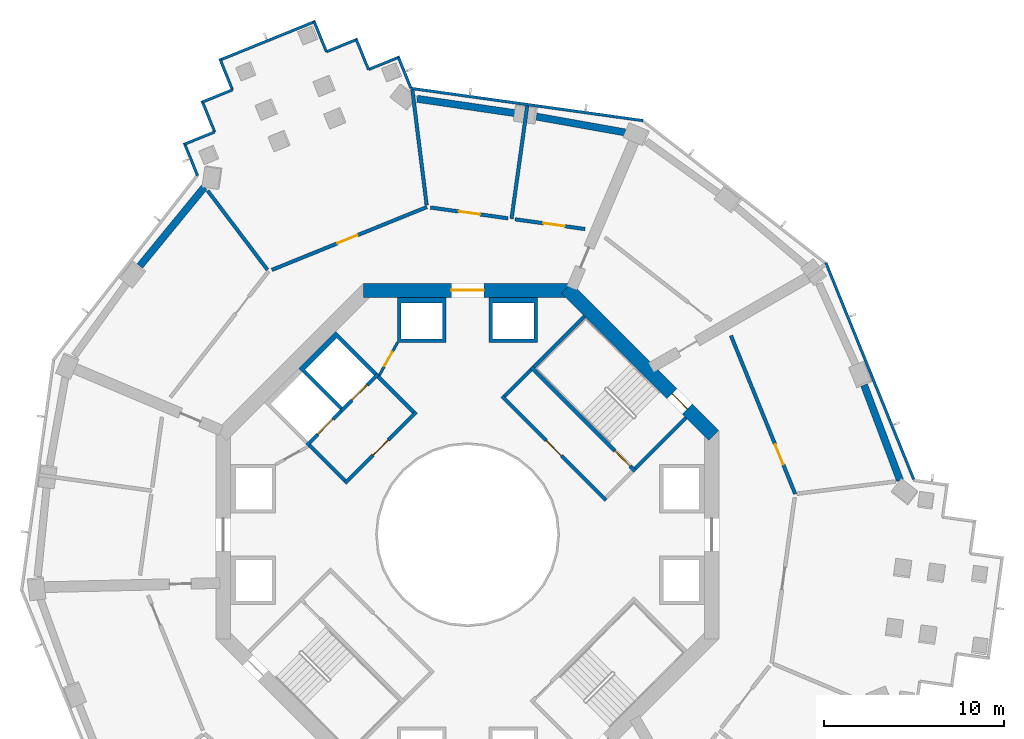
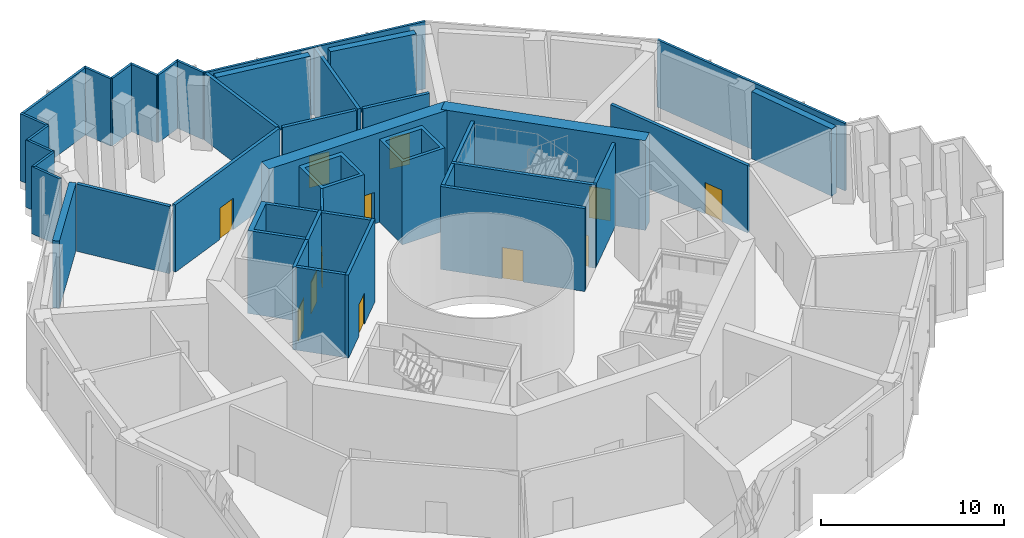
# One storey, part 4 of 17: 40 walls, 12 doors, 12 openings.
"""IFC4 building model written with IfcOpenShell, lengths in metres."""

from ifc_helpers import new_model, si_unit, direction, frame, frame_2d, origin, place, context, subcontext, project, spatial, polyline, rectangle, outline, extrude, material, layer, layer_set, type_object, element, fill, save


model = new_model("IFC4")

# Units and contexts
model_context = context("Model", 3, precision=1e-05, world=origin(), true_north=direction((0.0, 1.0)))
body_context = subcontext(model_context, "Body", "Model", "MODEL_VIEW")
ifc_project = project(units=[si_unit("LENGTHUNIT", "METRE"), si_unit("AREAUNIT", "SQUARE_METRE"), si_unit("VOLUMEUNIT", "CUBIC_METRE"), si_unit("PLANEANGLEUNIT", "RADIAN"), si_unit("MASSUNIT", "GRAM", prefix="KILO")], contexts=[model_context])

# Site, building, storey
site_placement = place(None, origin())
site = spatial("IfcSite", under=ifc_project, at=site_placement, CompositionType="ELEMENT")
building_placement = place(site_placement, origin())
building = spatial("IfcBuilding", under=site, at=building_placement, Name="Verdalira Terraces Hotel", CompositionType="ELEMENT")
storey_placement = place(building_placement, frame((0.0, 0.0, 122.0)))
storey = spatial("IfcBuildingStorey", under=building, at=storey_placement, Name="L29", CompositionType="ELEMENT", Elevation=122.0)

# Walls
ifc_material_1 = material(Name="Concrete C70", Category="concrete")
ifc_layer_1 = layer(ifc_material_1, 0.39990234375)
ifc_layer_set_1 = layer_set([ifc_layer_1], Name="Belt wall 400 C70")
wall_type_1 = type_object("IfcWallType", Name="Belt wall 400 C70", PredefinedType="SHEAR", material=ifc_layer_set_1)
for number, where, z_axis, x_axis, name in (
    (1, (-14.663818, 19.344238, 0.0), (0.0, 0.0, 1.0), (-0.63358979, -0.773669166, 0.0), "Belt wall BW-29-1"),
    (2, (24.084473, 3.0271, 0.0), (0.0, 0.0, 1.0), (-0.353210296, 0.935543952, 0.0), "Belt wall BW-29-13"),
):
    element("IfcWall", number, at=place(storey_placement, frame(where, z_axis=z_axis, x_axis=x_axis)), inside=storey, type_object=wall_type_1, Name=name, PredefinedType="SHEAR", context=body_context, shape_type="SweptSolid", body=[
        extrude(rectangle(XDim=5.664307, YDim=0.399902, at=frame_2d((2.832031, 0.0))), origin(), (0.0, 0.0, 1.0), 4.5),
    ])
wall_1_placement = place(storey_placement, frame((8.771484, 22.398682, 0.0), z_axis=(0.0, 0.0, 1.0), x_axis=(-0.984454349, 0.175640641, 0.0)))
element("IfcWall", 3, at=wall_1_placement, inside=storey, type_object=wall_type_1, Name="Belt wall BW-29-17", PredefinedType="SHEAR", context=body_context, shape_type="SweptSolid", body=[
    extrude(rectangle(XDim=5.013672, YDim=0.399902, at=frame_2d((2.506836, 0.0))), origin(), (0.0, 0.0, 1.0), 4.5),
])
wall_2_placement = place(storey_placement, frame((2.680908, 23.467041, 0.0), z_axis=(0.0, 0.0, 1.0), x_axis=(-0.989431509, 0.145000996, 0.0)))
element("IfcWall", 4, at=wall_2_placement, inside=storey, type_object=wall_type_1, Name="Belt wall BW-29-18", PredefinedType="SHEAR", context=body_context, shape_type="SweptSolid", body=[
    extrude(rectangle(XDim=5.546143, YDim=0.399902, at=frame_2d((2.772949, 0.0))), origin(), (0.0, 0.0, 1.0), 4.5),
])
ifc_material_2 = material(Name="Concrete C50", Category="concrete")
ifc_layer_2 = layer(ifc_material_2, 0.199951171875)
ifc_layer_set_2 = layer_set([ifc_layer_2], Name="Core RC wall 200 C50")
wall_type_2 = type_object("IfcWallType", Name="Core RC wall 200 C50", PredefinedType="SOLIDWALL", material=ifc_layer_set_2)
wall_3_placement = place(storey_placement, origin())
element("IfcWall", 5, at=wall_3_placement, inside=storey, type_object=wall_type_2, Name="L29 shaft wall N1", PredefinedType="SOLIDWALL", context=body_context, shape_type="SweptSolid", body=[
    extrude(outline(polyline([(1.199951, 13.199951), (3.899902, 13.199951), (3.899902, 10.699951), (1.199951, 10.699951), (1.199951, 13.199951)]), holes=[polyline([(3.699951, 10.899902), (3.699951, 12.899902), (1.399902, 12.899902), (1.399902, 10.899902), (3.699951, 10.899902)])]), origin(), (0.0, 0.0, 1.0), 5.550049),
])
wall_4_placement = place(storey_placement, origin())
element("IfcWall", 6, at=wall_4_placement, inside=storey, type_object=wall_type_2, Name="L29 shaft wall N2", PredefinedType="SOLIDWALL", context=body_context, shape_type="SweptSolid", body=[
    extrude(outline(polyline([(-3.899902, 10.699951), (-3.899902, 13.199951), (-1.199951, 13.199951), (-1.199951, 10.699951), (-3.899902, 10.699951)]), holes=[polyline([(-1.399902, 12.899902), (-3.699951, 12.899902), (-3.699951, 10.899902), (-1.399902, 10.899902), (-1.399902, 12.899902)])]), origin(), (0.0, 0.0, 1.0), 5.550049),
])
wall_5_placement = place(storey_placement, origin())
element("IfcWall", 7, at=wall_5_placement, inside=storey, type_object=wall_type_2, Name="L29 shaft wall F1", PredefinedType="SOLIDWALL", context=body_context, shape_type="SweptSolid", body=[
    extrude(outline(polyline([(-9.404541, 9.263184), (-7.354004, 11.313721), (-5.055908, 9.015625), (-5.197266, 8.874268), (-7.283203, 10.960205), (-9.051025, 9.192383), (-6.965088, 7.106445), (-7.106445, 6.965088), (-9.404541, 9.263184)])), origin(), (0.0, 0.0, 1.0), 5.550049),
])

# Wall, opening, door
wall_6_placement = place(storey_placement, frame((-4.985107, 8.944824, 0.0), z_axis=(0.0, 0.0, 1.0), x_axis=(-0.707106781, -0.707106781, 0.0)))
wall_6 = element("IfcWall", 8, at=wall_6_placement, inside=storey, type_object=wall_type_2, Name="L29 shaft front wall F1", PredefinedType="SOLIDWALL", context=body_context, shape_type="SweptSolid", body=[
    extrude(rectangle(XDim=2.899902, YDim=0.199951, at=frame_2d((1.449951, 0.0))), origin(), (0.0, 0.0, 1.0), 5.550049),
])
opening_1_placement = place(wall_6_placement, frame((0.850098, 0.0, 0.0)))
opening_1 = element("IfcOpeningElement", 9, at=opening_1_placement, cuts=wall_6, Name="Opening LD-L29-801", PredefinedType="OPENING", context=body_context, shape_type="SweptSolid", body=[
    extrude(rectangle(XDim=1.199951, YDim=2.100098, at=frame_2d((0.600098, 1.050049))), frame((0.0, 0.109863, 0.0), z_axis=(0.0, -1.0, 0.0), x_axis=(1.0, 0.0, 0.0)), (0.0, 0.0, 1.0), 0.219971),
])
ifc_material_3 = material(Name="Stainless steel", Category="steel")
door_type_1 = type_object("IfcDoorType", Name="Landing door 1200 x 2100", OperationType="NOTDEFINED", PredefinedType="DOOR", material=ifc_material_3)
door_1_placement = place(opening_1_placement, origin())
door_1 = element("IfcDoor", 10, at=door_1_placement, inside=storey, type_object=door_type_1, Name="Lift landing door LF11 L29", OperationType="DOUBLE_DOOR_SLIDING", OverallHeight=2.10009765625, OverallWidth=1.199951171875, PredefinedType="DOOR", context=body_context, shape_type="SweptSolid", body=[
    extrude(rectangle(XDim=1.199951, YDim=2.100098, at=frame_2d((0.600098, 1.050049))), frame((0.0, 0.024902, 0.0), z_axis=(0.0, -1.0, 0.0), x_axis=(1.0, 0.0, 0.0)), (0.0, 0.0, 1.0), 0.050049),
])
fill(opening_1, door_1)

wall_7_placement = place(storey_placement, frame((-7.035645, 6.894287, 0.0), z_axis=(0.0, 0.0, 1.0), x_axis=(-0.707106781, -0.707106781, 0.0)))
wall_7 = element("IfcWall", 11, at=wall_7_placement, inside=storey, type_object=wall_type_2, Name="L29 shaft front wall F2", PredefinedType="SOLIDWALL", context=body_context, shape_type="SweptSolid", body=[
    extrude(rectangle(XDim=2.699951, YDim=0.199951, at=frame_2d((1.350098, 0.0))), origin(), (0.0, 0.0, 1.0), 5.550049),
])
opening_2_placement = place(wall_7_placement, frame((0.649902, 0.0, 0.0)))
opening_2 = element("IfcOpeningElement", 12, at=opening_2_placement, cuts=wall_7, Name="Opening LD-L29-802", PredefinedType="OPENING", context=body_context, shape_type="SweptSolid", body=[
    extrude(rectangle(XDim=1.199951, YDim=2.100098, at=frame_2d((0.600098, 1.050049))), frame((0.0, 0.109863, 0.0), z_axis=(0.0, -1.0, 0.0), x_axis=(1.0, 0.0, 0.0)), (0.0, 0.0, 1.0), 0.219971),
])
door_2_placement = place(opening_2_placement, origin())
door_2 = element("IfcDoor", 13, at=door_2_placement, inside=storey, type_object=door_type_1, Name="Lift landing door LF12 L29", OperationType="DOUBLE_DOOR_SLIDING", OverallHeight=2.10009765625, OverallWidth=1.199951171875, PredefinedType="DOOR", context=body_context, shape_type="SweptSolid", body=[
    extrude(rectangle(XDim=1.199951, YDim=2.100098, at=frame_2d((0.600098, 1.050049))), frame((0.0, 0.024902, 0.0), z_axis=(0.0, -1.0, 0.0), x_axis=(1.0, 0.0, 0.0)), (0.0, 0.0, 1.0), 0.050049),
])
fill(opening_2, door_2)

wall_8_placement = place(storey_placement, frame((3.5354, 9.33374, 0.0), z_axis=(0.0, 0.0, 1.0), x_axis=(0.707106781, -0.707106781, 0.0)))
wall_8 = element("IfcWall", 14, at=wall_8_placement, inside=storey, type_object=wall_type_2, Name="L29 stair ST1 front wall", PredefinedType="SOLIDWALL", context=body_context, shape_type="SweptSolid", body=[
    extrude(rectangle(XDim=8.200195, YDim=0.199951, at=frame_2d((4.100098, 0.0))), origin(), (0.0, 0.0, 1.0), 5.550049),
])
opening_3_placement = place(wall_8_placement, frame((6.600098, 0.0, 0.0)))
opening_3 = element("IfcOpeningElement", 15, at=opening_3_placement, cuts=wall_8, Name="Opening L29-803", PredefinedType="OPENING", context=body_context, shape_type="SweptSolid", body=[
    extrude(rectangle(XDim=1.199951, YDim=2.100098, at=frame_2d((0.600098, 1.050049))), frame((0.0, 0.109863, 0.0), z_axis=(0.0, -1.0, 0.0), x_axis=(1.0, 0.0, 0.0)), (0.0, 0.0, 1.0), 0.219971),
])
ifc_material_4 = material(Name="Steel fire door", Category="steel")
door_type_2 = type_object("IfcDoorType", Name="Stair door 1200 x 2100", OperationType="NOTDEFINED", PredefinedType="DOOR", material=ifc_material_4)
door_3_placement = place(opening_3_placement, origin())
door_3 = element("IfcDoor", 16, at=door_3_placement, inside=storey, type_object=door_type_2, Name="Stair door ST1 L29", OperationType="SINGLE_SWING_RIGHT", OverallHeight=2.10009765625, OverallWidth=1.199951171875, PredefinedType="DOOR", context=body_context, shape_type="SweptSolid", body=[
    extrude(rectangle(XDim=1.199951, YDim=2.100098, at=frame_2d((0.600098, 1.050049))), frame((0.0, 0.024902, 0.0), z_axis=(0.0, -1.0, 0.0), x_axis=(1.0, 0.0, 0.0)), (0.0, 0.0, 1.0), 0.050049),
])
fill(opening_3, door_3)

# Walls
for number, where, z_axis, x_axis, name in (
    (17, (9.33374, 3.677002, 0.0), (0.0, 0.0, 1.0), (0.707106781, 0.707106781, 0.0), "L29 stair ST1 end wall 1"),
    (18, (3.677002, 9.33374, 0.0), (0.0, 0.0, 1.0), (0.707106781, 0.707106781, 0.0), "L29 stair ST1 end wall 2"),
):
    element("IfcWall", number, at=place(storey_placement, frame(where, z_axis=z_axis, x_axis=x_axis)), inside=storey, type_object=wall_type_2, Name=name, PredefinedType="SOLIDWALL", context=body_context, shape_type="SweptSolid", body=[
        extrude(rectangle(XDim=4.0, YDim=0.199951, at=frame_2d((2.0, 0.0))), origin(), (0.0, 0.0, 1.0), 5.550049),
    ])

# Wall, opening, door
wall_9_placement = place(storey_placement, frame((-2.86377, 6.823486, 0.0), z_axis=(0.0, 0.0, 1.0), x_axis=(-0.707106781, -0.707106781, 0.0)))
wall_9 = element("IfcWall", 19, at=wall_9_placement, inside=storey, type_object=wall_type_2, Name="L29 fire lobby wall", PredefinedType="SOLIDWALL", context=body_context, shape_type="SweptSolid", body=[
    extrude(rectangle(XDim=5.599854, YDim=0.199951, at=frame_2d((2.799805, 0.0))), origin(), (0.0, 0.0, 1.0), 5.550049),
])
opening_4_placement = place(wall_9_placement, frame((2.199951, 0.0, 0.0)))
opening_4 = element("IfcOpeningElement", 20, at=opening_4_placement, cuts=wall_9, Name="Opening L29-813", PredefinedType="OPENING", context=body_context, shape_type="SweptSolid", body=[
    extrude(rectangle(XDim=1.199951, YDim=2.100098, at=frame_2d((0.600098, 1.050049))), frame((0.0, 0.109863, 0.0), z_axis=(0.0, -1.0, 0.0), x_axis=(1.0, 0.0, 0.0)), (0.0, 0.0, 1.0), 0.219971),
])
ifc_material_5 = material(Name="Steel fire door", Category="steel")
door_type_3 = type_object("IfcDoorType", Name="Lobby door 1200 x 2100", OperationType="NOTDEFINED", PredefinedType="DOOR", material=ifc_material_5)
door_4_placement = place(opening_4_placement, origin())
door_4 = element("IfcDoor", 21, at=door_4_placement, inside=storey, type_object=door_type_3, Name="Fire lobby door L29", OperationType="SINGLE_SWING_LEFT", OverallHeight=2.10009765625, OverallWidth=1.199951171875, PredefinedType="DOOR", context=body_context, shape_type="SweptSolid", body=[
    extrude(rectangle(XDim=1.199951, YDim=2.100098, at=frame_2d((0.600098, 1.050049))), frame((0.0, 0.024902, 0.0), z_axis=(0.0, -1.0, 0.0), x_axis=(1.0, 0.0, 0.0)), (0.0, 0.0, 1.0), 0.050049),
])
fill(opening_4, door_4)

# Walls
for number, where, z_axis, x_axis, name in (
    (22, (-3.005127, 6.823486, 0.0), (0.0, 0.0, 1.0), (-0.707106781, 0.707106781, 0.0), "L29 fire lobby wall"),
    (23, (-6.823486, 3.005127, 0.0), (0.0, 0.0, 1.0), (-0.707106781, 0.707106781, 0.0), "L29 fire lobby wall"),
):
    element("IfcWall", number, at=place(storey_placement, frame(where, z_axis=z_axis, x_axis=x_axis)), inside=storey, type_object=wall_type_2, Name=name, PredefinedType="SOLIDWALL", context=body_context, shape_type="SweptSolid", body=[
        extrude(rectangle(XDim=2.800049, YDim=0.199951, at=frame_2d((1.399902, 0.0))), origin(), (0.0, 0.0, 1.0), 5.550049),
    ])

# Wall, opening, door
wall_10_placement = place(storey_placement, frame((7.70752, 1.90918, 0.0), z_axis=(0.0, 0.0, 1.0), x_axis=(-0.707106781, 0.707106781, 0.0)))
wall_10 = element("IfcWall", 24, at=wall_10_placement, inside=storey, type_object=wall_type_2, Name="Stair lobby wall ST1 L29", PredefinedType="SOLIDWALL", context=body_context, shape_type="SweptSolid", body=[
    extrude(rectangle(XDim=8.200195, YDim=0.199951, at=frame_2d((4.100098, 0.0))), origin(), (0.0, 0.0, 1.0), 5.550049),
])
opening_5_placement = place(wall_10_placement, frame((3.5, 0.0, 0.0)))
opening_5 = element("IfcOpeningElement", 25, at=opening_5_placement, cuts=wall_10, Name="Opening L29-816", PredefinedType="OPENING", context=body_context, shape_type="SweptSolid", body=[
    extrude(rectangle(XDim=1.199951, YDim=2.100098, at=frame_2d((0.600098, 1.050049))), frame((0.0, 0.109863, 0.0), z_axis=(0.0, -1.0, 0.0), x_axis=(1.0, 0.0, 0.0)), (0.0, 0.0, 1.0), 0.219971),
])
door_5_placement = place(opening_5_placement, origin())
door_5 = element("IfcDoor", 26, at=door_5_placement, inside=storey, type_object=door_type_3, Name="Door L29 lobbyST1", OperationType="SINGLE_SWING_LEFT", OverallHeight=2.10009765625, OverallWidth=1.199951171875, PredefinedType="DOOR", context=body_context, shape_type="SweptSolid", body=[
    extrude(rectangle(XDim=1.199951, YDim=2.100098, at=frame_2d((0.600098, 1.050049))), frame((0.0, 0.024902, 0.0), z_axis=(0.0, -1.0, 0.0), x_axis=(1.0, 0.0, 0.0)), (0.0, 0.0, 1.0), 0.050049),
])
fill(opening_5, door_5)

# Wall
wall_11_placement = place(storey_placement, frame((2.050537, 7.70752, 0.0), z_axis=(0.0, 0.0, 1.0), x_axis=(0.707106781, 0.707106781, 0.0)))
element("IfcWall", 27, at=wall_11_placement, inside=storey, type_object=wall_type_2, Name="Stair lobby wall ST1 L29", PredefinedType="SOLIDWALL", context=body_context, shape_type="SweptSolid", body=[
    extrude(rectangle(XDim=2.099854, YDim=0.199951, at=frame_2d((1.049805, 0.0))), origin(), (0.0, 0.0, 1.0), 5.550049),
])

# Wall, opening, door
ifc_material_6 = material(Name="Gypsum board partition")
ifc_layer_3 = layer(ifc_material_6, 0.14990234375)
ifc_layer_set_3 = layer_set([ifc_layer_3], Name="Core partition 150 mm")
wall_type_3 = type_object("IfcWallType", Name="Core partition 150 mm", PredefinedType="PARTITIONING", material=ifc_layer_set_3)
wall_12_placement = place(storey_placement, frame((-3.899902, 10.699951, 0.0), z_axis=(0.0, 0.0, 1.0), x_axis=(-0.485692555, -0.874129705, 0.0)))
wall_12 = element("IfcWall", 28, at=wall_12_placement, inside=storey, type_object=wall_type_3, Name="Room partition L29", PredefinedType="PARTITIONING", context=body_context, shape_type="SweptSolid", body=[
    extrude(rectangle(XDim=2.088623, YDim=0.149902, at=frame_2d((1.044434, 0.0))), origin(), (0.0, 0.0, 1.0), 5.550049),
])
opening_6_placement = place(wall_12_placement, frame((0.594238, 0.0, 0.0)))
opening_6 = element("IfcOpeningElement", 29, at=opening_6_placement, cuts=wall_12, Name="Opening L29-814", PredefinedType="OPENING", context=body_context, shape_type="SweptSolid", body=[
    extrude(rectangle(XDim=0.899902, YDim=2.100098, at=frame_2d((0.449951, 1.050049))), frame((0.0, 0.084961, 0.0), z_axis=(0.0, -1.0, 0.0), x_axis=(1.0, 0.0, 0.0)), (0.0, 0.0, 1.0), 0.169922),
])
ifc_material_7 = material(Name="Steel fire door", Category="steel")
door_type_4 = type_object("IfcDoorType", Name="Core room door 900 x 2100", OperationType="NOTDEFINED", PredefinedType="DOOR", material=ifc_material_7)
door_6_placement = place(opening_6_placement, origin())
door_6 = element("IfcDoor", 30, at=door_6_placement, inside=storey, type_object=door_type_4, Name="Door L29 room2", OperationType="SINGLE_SWING_LEFT", OverallHeight=2.10009765625, OverallWidth=0.89990234375, PredefinedType="DOOR", context=body_context, shape_type="SweptSolid", body=[
    extrude(rectangle(XDim=0.899902, YDim=2.100098, at=frame_2d((0.449951, 1.050049))), frame((0.0, 0.024902, 0.0), z_axis=(0.0, -1.0, 0.0), x_axis=(1.0, 0.0, 0.0)), (0.0, 0.0, 1.0), 0.050049),
])
fill(opening_6, door_6)

ifc_material_8 = material(Name="Concrete C70", Category="concrete")
ifc_layer_4 = layer(ifc_material_8, 0.800048828125)
ifc_layer_set_4 = layer_set([ifc_layer_4], Name="Core wall 800 C70")
wall_type_4 = type_object("IfcWallType", Name="Core wall 800 C70", PredefinedType="SHEAR", material=ifc_layer_set_4)
wall_13_placement = place(storey_placement, frame((13.717285, 5.516113, 0.0), z_axis=(0.0, 0.0, 1.0), x_axis=(-0.707106781, 0.707106781, 0.0)))
wall_13 = element("IfcWall", 31, at=wall_13_placement, inside=storey, type_object=wall_type_4, Name="Core wall CW-L29-2", PredefinedType="SHEAR", context=body_context, shape_type="SweptSolid", body=[
    extrude(rectangle(XDim=11.598145, YDim=0.800049, at=frame_2d((5.799072, 0.0))), origin(), (0.0, 0.0, 1.0), 6.0),
])
opening_7_placement = place(wall_13_placement, frame((2.099121, 0.0, 0.0)))
opening_7 = element("IfcOpeningElement", 32, at=opening_7_placement, cuts=wall_13, Name="Opening L29-810", PredefinedType="OPENING", context=body_context, shape_type="SweptSolid", body=[
    extrude(rectangle(XDim=1.199951, YDim=2.100098, at=frame_2d((0.600098, 1.050049))), frame((0.0, 0.409912, 0.0), z_axis=(0.0, -1.0, 0.0), x_axis=(1.0, 0.0, 0.0)), (0.0, 0.0, 1.0), 0.820068),
])
door_7_placement = place(opening_7_placement, origin())
door_7 = element("IfcDoor", 33, at=door_7_placement, inside=storey, type_object=door_type_2, Name="Stair exit door ST1 L29", OperationType="SINGLE_SWING_LEFT", OverallHeight=2.10009765625, OverallWidth=1.199951171875, PredefinedType="DOOR", context=body_context, shape_type="SweptSolid", body=[
    extrude(rectangle(XDim=1.199951, YDim=2.100098, at=frame_2d((0.600098, 1.050049))), frame((0.0, 0.024902, 0.0), z_axis=(0.0, -1.0, 0.0), x_axis=(1.0, 0.0, 0.0)), (0.0, 0.0, 1.0), 0.050049),
])
fill(opening_7, door_7)

wall_14_placement = place(storey_placement, frame((5.799072, 13.600098, 0.0), z_axis=(0.0, 0.0, 1.0), x_axis=(-1.0, 0.0, 0.0)))
wall_14 = element("IfcWall", 34, at=wall_14_placement, inside=storey, type_object=wall_type_4, Name="Core wall CW-L29-3", PredefinedType="SHEAR", context=body_context, shape_type="SweptSolid", body=[
    extrude(rectangle(XDim=11.598145, YDim=0.800049, at=frame_2d((5.799072, 0.0))), origin(), (0.0, 0.0, 1.0), 6.0),
])
opening_8_placement = place(wall_14_placement, frame((4.898926, 0.0, 0.0)))
opening_8 = element("IfcOpeningElement", 35, at=opening_8_placement, cuts=wall_14, Name="Opening L29-807", PredefinedType="OPENING", context=body_context, shape_type="SweptSolid", body=[
    extrude(rectangle(XDim=1.800049, YDim=2.100098, at=frame_2d((0.899902, 1.050049))), frame((0.0, 0.409912, 0.0), z_axis=(0.0, -1.0, 0.0), x_axis=(1.0, 0.0, 0.0)), (0.0, 0.0, 1.0), 0.820068),
])
ifc_material_9 = material(Name="Steel fire door", Category="steel")
door_type_5 = type_object("IfcDoorType", Name="Core entry door pair 1800 x 2100", OperationType="NOTDEFINED", PredefinedType="DOOR", material=ifc_material_9)
door_8_placement = place(opening_8_placement, origin())
door_8 = element("IfcDoor", 36, at=door_8_placement, inside=storey, type_object=door_type_5, Name="Core entry door L29 2", OperationType="DOUBLE_DOOR_SINGLE_SWING", OverallHeight=2.10009765625, OverallWidth=1.800048828125, PredefinedType="DOOR", context=body_context, shape_type="SweptSolid", body=[
    extrude(rectangle(XDim=1.800049, YDim=2.100098, at=frame_2d((0.899902, 1.050049))), frame((0.0, 0.024902, 0.0), z_axis=(0.0, -1.0, 0.0), x_axis=(1.0, 0.0, 0.0)), (0.0, 0.0, 1.0), 0.050049),
])
fill(opening_8, door_8)

# Wall
ifc_material_10 = material(Name="Fire-rated concrete block wall", Category="concrete")
ifc_layer_5 = layer(ifc_material_10, 0.199951171875)
ifc_layer_set_5 = layer_set([ifc_layer_5], Name="Plant room wall 200 mm")
wall_type_5 = type_object("IfcWallType", Name="Plant room wall 200 mm", PredefinedType="SOLIDWALL", material=ifc_layer_set_5)
wall_15_placement = place(storey_placement, frame((-11.147217, 14.75, 0.0), z_axis=(0.0, 0.0, 1.0), x_axis=(-0.602936843, 0.797788922, 0.0)))
element("IfcWall", 37, at=wall_15_placement, inside=storey, type_object=wall_type_5, Name="Plant room wall", PredefinedType="SOLIDWALL", context=body_context, shape_type="SweptSolid", body=[
    extrude(rectangle(XDim=5.525635, YDim=0.199951, at=frame_2d((2.762695, 0.0))), origin(), (0.0, 0.0, 1.0), 4.5),
])

# Wall, opening, door
wall_16_placement = place(storey_placement, frame((-10.899414, 14.742432, 0.0), z_axis=(0.0, 0.0, 1.0), x_axis=(0.926656636, 0.37590887, 0.0)))
wall_16 = element("IfcWall", 38, at=wall_16_placement, inside=storey, type_object=wall_type_5, Name="Plant room wall", PredefinedType="SOLIDWALL", context=body_context, shape_type="SweptSolid", body=[
    extrude(rectangle(XDim=9.31665, YDim=0.199951, at=frame_2d((4.658203, 0.0))), origin(), (0.0, 0.0, 1.0), 4.5),
])
opening_9_placement = place(wall_16_placement, frame((3.949951, 0.0, 0.0)))
opening_9 = element("IfcOpeningElement", 39, at=opening_9_placement, cuts=wall_16, Name="Opening L29-107", PredefinedType="OPENING", context=body_context, shape_type="SweptSolid", body=[
    extrude(rectangle(XDim=1.199951, YDim=2.100098, at=frame_2d((0.600098, 1.050049))), frame((0.0, 0.109863, 0.0), z_axis=(0.0, -1.0, 0.0), x_axis=(1.0, 0.0, 0.0)), (0.0, 0.0, 1.0), 0.219971),
])
ifc_material_11 = material(Name="Steel fire door", Category="steel")
door_type_6 = type_object("IfcDoorType", Name="Plant room door 1200 x 2100", OperationType="NOTDEFINED", PredefinedType="DOOR", material=ifc_material_11)
door_9_placement = place(opening_9_placement, origin())
door_9 = element("IfcDoor", 40, at=door_9_placement, inside=storey, type_object=door_type_6, Name="Plant room door 2901", OperationType="SINGLE_SWING_LEFT", OverallHeight=2.10009765625, OverallWidth=1.199951171875, PredefinedType="DOOR", context=body_context, shape_type="SweptSolid", body=[
    extrude(rectangle(XDim=1.199951, YDim=2.100098, at=frame_2d((0.600098, 1.050049))), frame((0.0, 0.024902, 0.0), z_axis=(0.0, -1.0, 0.0), x_axis=(1.0, 0.0, 0.0)), (0.0, 0.0, 1.0), 0.050049),
])
fill(opening_9, door_9)

# Wall
wall_17_placement = place(storey_placement, frame((-3.076904, 24.773682, 0.0), z_axis=(0.0, 0.0, 1.0), x_axis=(0.123245866, -0.992376167, 0.0)))
element("IfcWall", 41, at=wall_17_placement, inside=storey, type_object=wall_type_5, Name="Plant room wall", PredefinedType="SOLIDWALL", context=body_context, shape_type="SweptSolid", body=[
    extrude(rectangle(XDim=6.475586, YDim=0.199951, at=frame_2d((3.237793, 0.0))), origin(), (0.0, 0.0, 1.0), 4.5),
])

# Wall, opening, door
wall_18_placement = place(storey_placement, frame((-2.067871, 18.217041, 0.0), z_axis=(0.0, 0.0, 1.0), x_axis=(0.99045938, -0.137804993, 0.0)))
wall_18 = element("IfcWall", 42, at=wall_18_placement, inside=storey, type_object=wall_type_5, Name="Plant room wall", PredefinedType="SOLIDWALL", context=body_context, shape_type="SweptSolid", body=[
    extrude(rectangle(XDim=4.358154, YDim=0.199951, at=frame_2d((2.179199, 0.0))), origin(), (0.0, 0.0, 1.0), 4.5),
])
opening_10_placement = place(wall_18_placement, frame((1.600098, 0.0, 0.0)))
opening_10 = element("IfcOpeningElement", 43, at=opening_10_placement, cuts=wall_18, Name="Opening L29-119", PredefinedType="OPENING", context=body_context, shape_type="SweptSolid", body=[
    extrude(rectangle(XDim=1.199951, YDim=2.100098, at=frame_2d((0.600098, 1.050049))), frame((0.0, 0.109863, 0.0), z_axis=(0.0, -1.0, 0.0), x_axis=(1.0, 0.0, 0.0)), (0.0, 0.0, 1.0), 0.219971),
])
door_10_placement = place(opening_10_placement, origin())
door_10 = element("IfcDoor", 44, at=door_10_placement, inside=storey, type_object=door_type_6, Name="Plant room door 2913", OperationType="SINGLE_SWING_LEFT", OverallHeight=2.10009765625, OverallWidth=1.199951171875, PredefinedType="DOOR", context=body_context, shape_type="SweptSolid", body=[
    extrude(rectangle(XDim=1.199951, YDim=2.100098, at=frame_2d((0.600098, 1.050049))), frame((0.0, 0.024902, 0.0), z_axis=(0.0, -1.0, 0.0), x_axis=(1.0, 0.0, 0.0)), (0.0, 0.0, 1.0), 0.050049),
])
fill(opening_10, door_10)

# Wall
wall_19_placement = place(storey_placement, frame((2.447021, 17.589111, 0.0), z_axis=(0.0, 0.0, 1.0), x_axis=(0.137797833, 0.990460376, 0.0)))
element("IfcWall", 45, at=wall_19_placement, inside=storey, type_object=wall_type_5, Name="Plant room wall", PredefinedType="SOLIDWALL", context=body_context, shape_type="SweptSolid", body=[
    extrude(rectangle(XDim=6.349854, YDim=0.199951, at=frame_2d((3.174805, 0.0))), origin(), (0.0, 0.0, 1.0), 4.5),
])

# Wall, opening, door
wall_20_placement = place(storey_placement, frame((2.64502, 17.561279, 0.0), z_axis=(0.0, 0.0, 1.0), x_axis=(0.990462443, -0.137782981, 0.0)))
wall_20 = element("IfcWall", 46, at=wall_20_placement, inside=storey, type_object=wall_type_5, Name="Plant room wall", PredefinedType="SOLIDWALL", context=body_context, shape_type="SweptSolid", body=[
    extrude(rectangle(XDim=3.937256, YDim=0.199951, at=frame_2d((1.96875, 0.0))), origin(), (0.0, 0.0, 1.0), 4.5),
])
opening_11_placement = place(wall_20_placement, frame((1.600098, 0.0, 0.0)))
opening_11 = element("IfcOpeningElement", 47, at=opening_11_placement, cuts=wall_20, Name="Opening L29-118", PredefinedType="OPENING", context=body_context, shape_type="SweptSolid", body=[
    extrude(rectangle(XDim=1.199951, YDim=2.100098, at=frame_2d((0.600098, 1.050049))), frame((0.0, 0.109863, 0.0), z_axis=(0.0, -1.0, 0.0), x_axis=(1.0, 0.0, 0.0)), (0.0, 0.0, 1.0), 0.219971),
])
door_11_placement = place(opening_11_placement, origin())
door_11 = element("IfcDoor", 48, at=door_11_placement, inside=storey, type_object=door_type_6, Name="Plant room door 2912", OperationType="SINGLE_SWING_LEFT", OverallHeight=2.10009765625, OverallWidth=1.199951171875, PredefinedType="DOOR", context=body_context, shape_type="SweptSolid", body=[
    extrude(rectangle(XDim=1.199951, YDim=2.100098, at=frame_2d((0.600098, 1.050049))), frame((0.0, 0.024902, 0.0), z_axis=(0.0, -1.0, 0.0), x_axis=(1.0, 0.0, 0.0)), (0.0, 0.0, 1.0), 0.050049),
])
fill(opening_11, door_11)

wall_21_placement = place(storey_placement, frame((14.667236, 11.084717, 0.0), z_axis=(0.0, 0.0, 1.0), x_axis=(0.375911138, -0.926655716, 0.0)))
wall_21 = element("IfcWall", 49, at=wall_21_placement, inside=storey, type_object=wall_type_5, Name="Plant room wall", PredefinedType="SOLIDWALL", context=body_context, shape_type="SweptSolid", body=[
    extrude(rectangle(XDim=9.516602, YDim=0.199951, at=frame_2d((4.758301, 0.0))), origin(), (0.0, 0.0, 1.0), 4.5),
])
opening_12_placement = place(wall_21_placement, frame((6.550049, 0.0, 0.0)))
opening_12 = element("IfcOpeningElement", 50, at=opening_12_placement, cuts=wall_21, Name="Opening L29-116", PredefinedType="OPENING", context=body_context, shape_type="SweptSolid", body=[
    extrude(rectangle(XDim=1.199951, YDim=2.100098, at=frame_2d((0.600098, 1.050049))), frame((0.0, 0.109863, 0.0), z_axis=(0.0, -1.0, 0.0), x_axis=(1.0, 0.0, 0.0)), (0.0, 0.0, 1.0), 0.219971),
])
door_12_placement = place(opening_12_placement, origin())
door_12 = element("IfcDoor", 51, at=door_12_placement, inside=storey, type_object=door_type_6, Name="Plant room door 2910", OperationType="SINGLE_SWING_LEFT", OverallHeight=2.10009765625, OverallWidth=1.199951171875, PredefinedType="DOOR", context=body_context, shape_type="SweptSolid", body=[
    extrude(rectangle(XDim=1.199951, YDim=2.100098, at=frame_2d((0.600098, 1.050049))), frame((0.0, 0.024902, 0.0), z_axis=(0.0, -1.0, 0.0), x_axis=(1.0, 0.0, 0.0)), (0.0, 0.0, 1.0), 0.050049),
])
fill(opening_12, door_12)

# Walls
ifc_material_12 = material(Name="Terracotta cladding", Category="masonry")
ifc_layer_6 = layer(ifc_material_12, 0.14990234375)
ifc_layer_set_6 = layer_set([ifc_layer_6], Name="Terracotta clad wall 150")
wall_type_6 = type_object("IfcWallType", Name="Terracotta clad wall 150", PredefinedType="SOLIDWALL", material=ifc_layer_set_6)
wall_22_placement = place(storey_placement, frame((-3.160645, 24.883545, 0.0), z_axis=(0.0, 0.0, 1.0), x_axis=(-0.3758227, 0.926691588, 0.0)))
element("IfcWall", 52, at=wall_22_placement, inside=storey, type_object=wall_type_6, Name="Terracotta cladding wall", PredefinedType="SOLIDWALL", context=body_context, shape_type="SweptSolid", body=[
    extrude(rectangle(XDim=1.831299, YDim=0.149902, at=frame_2d((0.915527, 0.0))), origin(), (0.0, 0.0, 1.0), 4.5),
])
wall_23_placement = place(storey_placement, frame((-3.779541, 26.608887, 0.0), z_axis=(0.0, 0.0, 1.0), x_axis=(-0.926642431, -0.375943887, 0.0)))
element("IfcWall", 53, at=wall_23_placement, inside=storey, type_object=wall_type_6, Name="Terracotta cladding wall", PredefinedType="SOLIDWALL", context=body_context, shape_type="SweptSolid", body=[
    extrude(rectangle(XDim=1.874756, YDim=0.149902, at=frame_2d((0.9375, 0.0))), origin(), (0.0, 0.0, 1.0), 4.5),
])
wall_24_placement = place(storey_placement, frame((-5.516846, 25.904053, 0.0), z_axis=(0.0, 0.0, 1.0), x_axis=(-0.375969549, 0.926632019, 0.0)))
element("IfcWall", 54, at=wall_24_placement, inside=storey, type_object=wall_type_6, Name="Terracotta cladding wall", PredefinedType="SOLIDWALL", context=body_context, shape_type="SweptSolid", body=[
    extrude(rectangle(XDim=1.800049, YDim=0.149902, at=frame_2d((0.899902, 0.0))), origin(), (0.0, 0.0, 1.0), 4.5),
])
wall_25_placement = place(storey_placement, frame((-6.124023, 27.600098, 0.0), z_axis=(0.0, 0.0, 1.0), x_axis=(-0.926660832, -0.375898528, 0.0)))
element("IfcWall", 55, at=wall_25_placement, inside=storey, type_object=wall_type_6, Name="Terracotta cladding wall", PredefinedType="SOLIDWALL", context=body_context, shape_type="SweptSolid", body=[
    extrude(rectangle(XDim=1.875, YDim=0.149902, at=frame_2d((0.9375, 0.0))), origin(), (0.0, 0.0, 1.0), 4.5),
])
wall_26_placement = place(storey_placement, frame((-7.861572, 26.895264, 0.0), z_axis=(0.0, 0.0, 1.0), x_axis=(-0.37585308, 0.926679266, 0.0)))
element("IfcWall", 56, at=wall_26_placement, inside=storey, type_object=wall_type_6, Name="Terracotta cladding wall", PredefinedType="SOLIDWALL", context=body_context, shape_type="SweptSolid", body=[
    extrude(rectangle(XDim=1.800049, YDim=0.149902, at=frame_2d((0.899902, 0.0))), origin(), (0.0, 0.0, 1.0), 4.5),
])
wall_27_placement = place(storey_placement, frame((-8.46875, 28.591553, 0.0), z_axis=(0.0, 0.0, 1.0), x_axis=(-0.926650955, -0.375922876, 0.0)))
element("IfcWall", 57, at=wall_27_placement, inside=storey, type_object=wall_type_6, Name="Terracotta cladding wall", PredefinedType="SOLIDWALL", context=body_context, shape_type="SweptSolid", body=[
    extrude(rectangle(XDim=5.724854, YDim=0.149902, at=frame_2d((2.862305, 0.0))), origin(), (0.0, 0.0, 1.0), 4.5),
])
wall_28_placement = place(storey_placement, frame((-13.802002, 26.509033, 0.0), z_axis=(0.0, 0.0, 1.0), x_axis=(0.375898528, -0.926660832, 0.0)))
element("IfcWall", 58, at=wall_28_placement, inside=storey, type_object=wall_type_6, Name="Terracotta cladding wall", PredefinedType="SOLIDWALL", context=body_context, shape_type="SweptSolid", body=[
    extrude(rectangle(XDim=1.875, YDim=0.149902, at=frame_2d((0.9375, 0.0))), origin(), (0.0, 0.0, 1.0), 4.5),
])
wall_29_placement = place(storey_placement, frame((-13.097168, 24.771484, 0.0), z_axis=(0.0, 0.0, 1.0), x_axis=(-0.926679266, -0.37585308, 0.0)))
element("IfcWall", 59, at=wall_29_placement, inside=storey, type_object=wall_type_6, Name="Terracotta cladding wall", PredefinedType="SOLIDWALL", context=body_context, shape_type="SweptSolid", body=[
    extrude(rectangle(XDim=1.800049, YDim=0.149902, at=frame_2d((0.899902, 0.0))), origin(), (0.0, 0.0, 1.0), 4.5),
])
wall_30_placement = place(storey_placement, frame((-14.793457, 24.164307, 0.0), z_axis=(0.0, 0.0, 1.0), x_axis=(0.375898528, -0.926660832, 0.0)))
element("IfcWall", 60, at=wall_30_placement, inside=storey, type_object=wall_type_6, Name="Terracotta cladding wall", PredefinedType="SOLIDWALL", context=body_context, shape_type="SweptSolid", body=[
    extrude(rectangle(XDim=1.875, YDim=0.149902, at=frame_2d((0.9375, 0.0))), origin(), (0.0, 0.0, 1.0), 4.5),
])
wall_31_placement = place(storey_placement, frame((-14.088623, 22.426758, 0.0), z_axis=(0.0, 0.0, 1.0), x_axis=(-0.926679266, -0.37585308, 0.0)))
element("IfcWall", 61, at=wall_31_placement, inside=storey, type_object=wall_type_6, Name="Terracotta cladding wall", PredefinedType="SOLIDWALL", context=body_context, shape_type="SweptSolid", body=[
    extrude(rectangle(XDim=1.800049, YDim=0.149902, at=frame_2d((0.899902, 0.0))), origin(), (0.0, 0.0, 1.0), 4.5),
])
wall_32_placement = place(storey_placement, frame((-15.784668, 21.819824, 0.0), z_axis=(0.0, 0.0, 1.0), x_axis=(0.375831704, -0.926687936, 0.0)))
element("IfcWall", 62, at=wall_32_placement, inside=storey, type_object=wall_type_6, Name="Terracotta cladding wall", PredefinedType="SOLIDWALL", context=body_context, shape_type="SweptSolid", body=[
    extrude(rectangle(XDim=1.969482, YDim=0.149902, at=frame_2d((0.984863, 0.0))), origin(), (0.0, 0.0, 1.0), 4.5),
])
wall_33_placement = place(storey_placement, frame((24.857422, 3.056396, 0.0), z_axis=(0.0, 0.0, 1.0), x_axis=(-0.375893619, 0.926662823, 0.0)))
element("IfcWall", 63, at=wall_33_placement, inside=storey, type_object=wall_type_6, Name="Terracotta cladding wall", PredefinedType="SOLIDWALL", context=body_context, shape_type="SweptSolid", body=[
    extrude(rectangle(XDim=13.046387, YDim=0.149902, at=frame_2d((6.523193, 0.0))), origin(), (0.0, 0.0, 1.0), 4.5),
])
wall_34_placement = place(storey_placement, frame((9.770264, 23.057129, 0.0), z_axis=(0.0, 0.0, 1.0), x_axis=(-0.990462638, 0.137781578, 0.0)))
element("IfcWall", 64, at=wall_34_placement, inside=storey, type_object=wall_type_6, Name="Terracotta cladding wall", PredefinedType="SOLIDWALL", context=body_context, shape_type="SweptSolid", body=[
    extrude(rectangle(XDim=13.075195, YDim=0.149902, at=frame_2d((6.537598, 0.0))), origin(), (0.0, 0.0, 1.0), 4.5),
])

save(model, "model.ifc")
